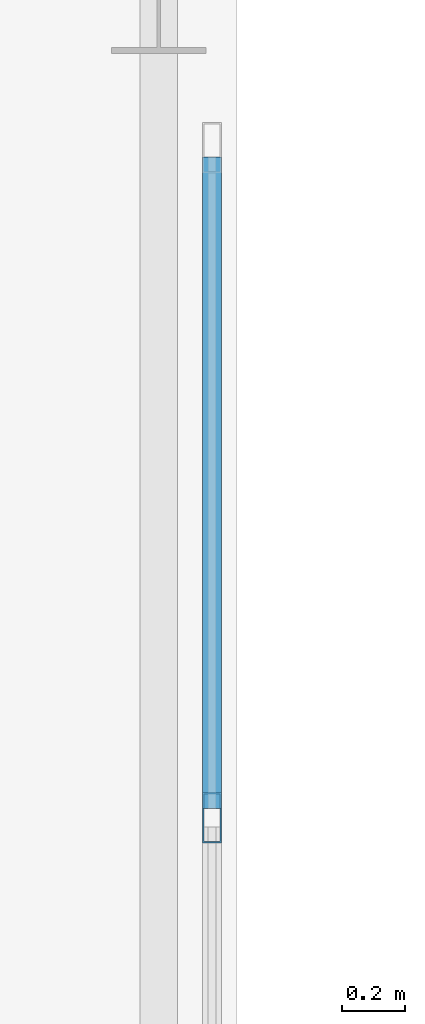
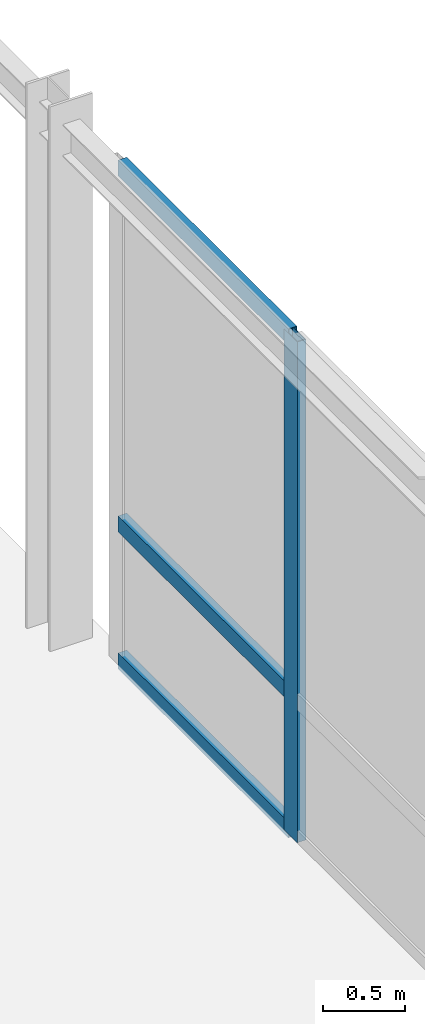
# One storey, part 45 of 165: 4 members, 1 element without a shape of its own.
"""IFC4 building model written with IfcOpenShell, lengths in metres."""

import ifcopenshell
import ifcopenshell.guid

model = None  # the IFC model being written
_history = None  # IfcOwnerHistory: only IFC2X3 demands one
_inside = {}  # id of a spatial element -> (the spatial element, [elements in it])
_under = {}  # id of a project, library or spatial element -> (it, [spatial elements below it])
_declared = {}  # id of a project -> (the project, [libraries it declares])
_typed = {}  # id of a type object -> (the type object, [elements of that type])
_made_of = {}  # id of a material, layer set ... -> (it, [elements and type objects made of it])


def new_model(schema):
    """Start an empty IFC model of exactly this schema.

    Asked for "IFC4X3", IfcOpenShell would pick the latest addendum, in which some entities
    have other attributes; the version numbers below select the first issue.
    IFC2X3 requires an IfcOwnerHistory on every rooted entity: one is made here for all.
    """
    global model, _history
    if schema == "IFC4X3":
        model = ifcopenshell.file(schema_version=(4, 3, 0, 0))
    else:
        model = ifcopenshell.file(schema=schema)
    _inside.clear()
    _under.clear()
    _declared.clear()
    _typed.clear()
    _made_of.clear()
    _history = None
    if model.schema == "IFC2X3":
        org = make("IfcOrganization", Name="unknown")
        user = make(
            "IfcPersonAndOrganization",
            ThePerson=make("IfcPerson", FamilyName="unknown"),
            TheOrganization=org,
        )
        app = make(
            "IfcApplication",
            ApplicationDeveloper=org,
            Version="unknown",
            ApplicationFullName="unknown",
            ApplicationIdentifier="unknown",
        )
        _history = make(
            "IfcOwnerHistory",
            OwningUser=user,
            OwningApplication=app,
            ChangeAction="ADDED",
            CreationDate=0,
        )
    return model


def make(cls, **values):
    """One entity of the class cls with the attributes given. An attribute that is None is left unset."""
    return model.create_entity(
        cls, **{name: value for name, value in values.items() if value is not None}
    )


def rooted(cls, **values):
    """An entity with a GlobalId (a new one), such as an element, a storey or a relation."""
    return make(cls, GlobalId=ifcopenshell.guid.new(), OwnerHistory=_history, **values)


def si_unit(unit_type, name, prefix=None):
    """IfcSIUnit, for example si_unit("LENGTHUNIT", "METRE", prefix="MILLI")."""
    return make("IfcSIUnit", UnitType=unit_type, Prefix=prefix, Name=name)


def assignment(units):
    """IfcUnitAssignment: the units of a project."""
    return None if units is None else make("IfcUnitAssignment", Units=units)


def point(xyz):
    """IfcCartesianPoint."""
    return None if xyz is None else make("IfcCartesianPoint", Coordinates=xyz)


def direction(xyz):
    """IfcDirection."""
    return None if xyz is None else make("IfcDirection", DirectionRatios=xyz)


def frame(location, z_axis=None, x_axis=None):
    """IfcAxis2Placement3D, a coordinate frame: its origin and axes. An axis left out is left unset."""
    return make(
        "IfcAxis2Placement3D",
        Location=point(location),
        Axis=direction(z_axis),
        RefDirection=direction(x_axis),
    )


def frame_2d(location, x_axis=None):
    """IfcAxis2Placement2D, a coordinate frame in the plane: its origin and x axis."""
    return make(
        "IfcAxis2Placement2D", Location=point(location), RefDirection=direction(x_axis)
    )


def origin():
    """The frame at (0, 0, 0) with its axes left unset."""
    return frame((0.0, 0.0, 0.0))


def origin_2d():
    """The frame at (0, 0) in the plane with its x axis left unset."""
    return frame_2d((0.0, 0.0))


def place(relative_to, where):
    """IfcLocalPlacement: puts the frame where relative to a parent placement (None: the world)."""
    return make(
        "IfcLocalPlacement", PlacementRelTo=relative_to, RelativePlacement=where
    )


def context(
    kind, dimensions, precision=None, world=None, true_north=None, identifier=None
):
    """IfcGeometricRepresentationContext, for example the 3D "Model" context."""
    return make(
        "IfcGeometricRepresentationContext",
        ContextIdentifier=identifier,
        ContextType=kind,
        CoordinateSpaceDimension=dimensions,
        Precision=precision,
        WorldCoordinateSystem=world,
        TrueNorth=true_north,
    )


def subcontext(parent, identifier, kind, view, scale=None):
    """IfcGeometricRepresentationSubContext, for example "Body" below "Model"."""
    return make(
        "IfcGeometricRepresentationSubContext",
        ContextIdentifier=identifier,
        ContextType=kind,
        ParentContext=parent,
        TargetScale=scale,
        TargetView=view,
    )


def project(units=None, contexts=None):
    """IfcProject with its units and contexts."""
    return rooted(
        "IfcProject",
        Name="project",
        RepresentationContexts=contexts,
        UnitsInContext=assignment(units),
    )


def spatial(cls, under=None, at=None, **own):
    """A site, building, storey or space (cls), placed at a placement, below another one or the project."""
    s = rooted(cls, ObjectPlacement=at, **own)
    if under is not None:
        _under.setdefault(under.id(), (under, []))[1].append(s)
    return s


def profile(cls, at=None, kind="AREA", **sizes):
    """A parametric profile (cls). Its sizes go by their IFC names, for example OverallWidth=200.0."""
    return make(cls, ProfileType=kind, Position=at, **sizes)


def hollow_rectangle(**sizes):
    """IfcRectangleHollowProfileDef."""
    return profile("IfcRectangleHollowProfileDef", **sizes)


def extrude(swept, where, along, depth):
    """IfcExtrudedAreaSolid: the profile swept, set in the frame where, extruded along a direction by depth."""
    return make(
        "IfcExtrudedAreaSolid",
        SweptArea=swept,
        Position=where,
        ExtrudedDirection=direction(along),
        Depth=depth,
    )


def shape(context_of_items, identifier, shape_type, items):
    """IfcShapeRepresentation: the items that make up one representation, for example the "Body"."""
    return make(
        "IfcShapeRepresentation",
        ContextOfItems=context_of_items,
        RepresentationIdentifier=identifier,
        RepresentationType=shape_type,
        Items=items,
    )


def material(Name=None, Category=None):
    """IfcMaterial."""
    return make("IfcMaterial", Name=Name, Category=Category)


def layer(
    of_material, thickness, ventilated=None, Name=None, Category=None, Priority=None
):
    """IfcMaterialLayer: one layer of a wall or slab, of a material (None: an air gap)."""
    return make(
        "IfcMaterialLayer",
        Material=of_material,
        LayerThickness=thickness,
        IsVentilated=ventilated,
        Name=Name,
        Category=Category,
        Priority=Priority,
    )


def layer_set(layers, Name=None):
    """IfcMaterialLayerSet."""
    return make("IfcMaterialLayerSet", MaterialLayers=layers, LayerSetName=Name)


def material_profile(
    of_material, cross_section, Name=None, Category=None, Priority=None
):
    """IfcMaterialProfile: a cross section and its material."""
    return make(
        "IfcMaterialProfile",
        Name=Name,
        Material=of_material,
        Profile=cross_section,
        Priority=Priority,
        Category=Category,
    )


def profile_set(profiles, Name=None, composite=None):
    """IfcMaterialProfileSet."""
    return make(
        "IfcMaterialProfileSet",
        Name=Name,
        MaterialProfiles=profiles,
        CompositeProfile=composite,
    )


def made_of(thing, what):
    """Note that an element or type object is made of a material, layer set ...; save() writes the relation."""
    if what is not None:
        _made_of.setdefault(what.id(), (what, []))[1].append(thing)
    return thing


def type_object(cls, material=None, **own):
    """A type object (cls), such as IfcWallType, which elements share."""
    return made_of(rooted(cls, **own), material)


def element(
    cls,
    number,
    at=None,
    inside=None,
    cuts=None,
    type_object=None,
    material=None,
    context=None,
    identifier="Body",
    shape_type=None,
    held_by="IfcProductDefinitionShape",
    body=None,
    shapes=None,
    **own,
):
    """One element of the class cls, such as IfcWall. Its Tag is "e" and its number.

    at: its placement. inside: the storey or other place that contains it. cuts: it is an
    opening in that element (IfcRelVoidsElement). A single representation is given by context,
    identifier, shape_type and body (its items); several are given by shapes. held_by: the class
    of the entity that holds the representations. save() writes the other relations.
    """
    e = rooted(cls, Tag="e%d" % number, ObjectPlacement=at, **own)
    if body is not None:
        shapes = [shape(context, identifier, shape_type, body)]
    if shapes is not None:
        e.Representation = make(held_by, Representations=shapes)
    if inside is not None:
        _inside.setdefault(inside.id(), (inside, []))[1].append(e)
    if cuts is not None:
        rooted(
            "IfcRelVoidsElement", RelatingBuildingElement=cuts, RelatedOpeningElement=e
        )
    if type_object is not None:
        _typed.setdefault(type_object.id(), (type_object, []))[1].append(e)
    return made_of(e, material)


def aggregate(whole, parts):
    """IfcRelAggregates: a whole, such as a stair, and the parts it consists of."""
    return rooted("IfcRelAggregates", RelatingObject=whole, RelatedObjects=parts)


def save(model, path):
    """Write the relations noted so far, then the file.

    IfcRelAggregates (storeys below a building ...), IfcRelContainedInSpatialStructure (elements
    in a storey), IfcRelDefinesByType, IfcRelAssociatesMaterial and IfcRelDeclares: one each for
    every whole, place, type object, material and project.
    """
    for whole, parts in _under.values():
        aggregate(whole, parts)
    for where, things in _inside.values():
        rooted(
            "IfcRelContainedInSpatialStructure",
            RelatedElements=things,
            RelatingStructure=where,
        )
    for kind, things in _typed.values():
        rooted("IfcRelDefinesByType", RelatedObjects=things, RelatingType=kind)
    for what, things in _made_of.values():
        rooted("IfcRelAssociatesMaterial", RelatedObjects=things, RelatingMaterial=what)
    for by, libraries in _declared.values():
        rooted("IfcRelDeclares", RelatingContext=by, RelatedDefinitions=libraries)
    model.write(path)


model = new_model("IFC4")

# Units and contexts
model_context = context("Model", 3, precision=1e-05, world=origin(), true_north=direction((0.0, 1.0)))
body_context = subcontext(model_context, "Body", "Model", "MODEL_VIEW")
ifc_project = project(units=[si_unit("LENGTHUNIT", "METRE"), si_unit("AREAUNIT", "SQUARE_METRE"), si_unit("VOLUMEUNIT", "CUBIC_METRE"), si_unit("PLANEANGLEUNIT", "RADIAN"), si_unit("MASSUNIT", "GRAM", prefix="KILO")], contexts=[model_context])

# Site, building, storey
site_placement = place(None, origin())
site = spatial("IfcSite", under=ifc_project, at=site_placement, CompositionType="ELEMENT")
building_placement = place(site_placement, origin())
building = spatial("IfcBuilding", under=site, at=building_placement, Name="Montecoro Central Library", CompositionType="ELEMENT")
storey_placement = place(building_placement, frame((0.0, 0.0, 5.10009765625)))
storey = spatial("IfcBuildingStorey", under=building, at=storey_placement, Name="L01", CompositionType="ELEMENT", Elevation=5.10009765625)

# Curtain wall, members
ifc_material_1 = material(Name="Bronze-anodised aluminium and low-E glazing", Category="aluminium")
ifc_layer = layer(ifc_material_1, 0.159912109375)
ifc_layer_set = layer_set([ifc_layer], Name="Bronze-anodised aluminium and low-E glazing")
curtain_wall_type = type_object("IfcCurtainWallType", Name="CWT-080", PredefinedType="NOTDEFINED", material=ifc_layer_set)
curtain_wall_placement = place(storey_placement, origin())
curtain_wall = element("IfcCurtainWall", 1, at=curtain_wall_placement, inside=storey, type_object=curtain_wall_type, Name="BR-W-L01-CW-E2", PredefinedType="NOTDEFINED")
ifc_material_2 = material(Name="Bronze-anodised aluminium", Category="aluminium")
ifc_material_profile_1 = material_profile(ifc_material_2, hollow_rectangle(XDim=0.06005859375, YDim=0.159912109375, WallThickness=0.00390625, at=origin_2d()), Name="CWM 160x60x4.0")
ifc_profile_set_1 = profile_set([ifc_material_profile_1], Name="Bronze-anodised aluminium")
member_type_1 = type_object("IfcMemberType", Name="CWM-BRZ-60", PredefinedType="MULLION", material=ifc_profile_set_1)
member_1_placement = place(storey_placement, frame((30.719970703125, 61.31494140625, 0.0), z_axis=(0.0, 0.0, 1.0), x_axis=(-1.0, 0.0, 0.0)))
member_1 = element("IfcMember", 2, at=member_1_placement, type_object=member_type_1, Name="CW-080 mullion 4", PredefinedType="MULLION", context=body_context, shape_type="SweptSolid", body=[
    extrude(hollow_rectangle(XDim=0.06005859375, YDim=0.159912109375, WallThickness=0.00390625, at=origin_2d()), origin(), (0.0, 0.0, 1.0), 3.72998046875),
])
ifc_material_profile_2 = material_profile(ifc_material_2, hollow_rectangle(XDim=0.06005859375, YDim=0.1201171875, WallThickness=0.00390625, at=origin_2d()), Name="CWT 120x60x4.0")
ifc_profile_set_2 = profile_set([ifc_material_profile_2], Name="Bronze-anodised aluminium")
member_type_2 = type_object("IfcMemberType", Name="CWT-BRZ-60", PredefinedType="USERDEFINED", material=ifc_profile_set_2)
member_2_placement = place(storey_placement, frame((30.719970703125, 61.344970703125, 0.02978515625), z_axis=(0.0, 1.0, 0.0), x_axis=(-1.0, 0.0, 0.0)))
member_2 = element("IfcMember", 3, at=member_2_placement, type_object=member_type_2, Name="CW-080 transom 4.1", ObjectType="TRANSOM", PredefinedType="USERDEFINED", context=body_context, shape_type="SweptSolid", body=[
    extrude(hollow_rectangle(XDim=0.06005859375, YDim=0.1201171875, WallThickness=0.00390625, at=origin_2d()), origin(), (0.0, 0.0, 1.0), 2.074951171875),
])
member_3_placement = place(storey_placement, frame((30.719970703125, 61.344970703125, 1.0498046875), z_axis=(0.0, 1.0, 0.0), x_axis=(-1.0, 0.0, 0.0)))
member_3 = element("IfcMember", 4, at=member_3_placement, type_object=member_type_2, Name="CW-080 transom 4.2", ObjectType="TRANSOM", PredefinedType="USERDEFINED", context=body_context, shape_type="SweptSolid", body=[
    extrude(hollow_rectangle(XDim=0.06005859375, YDim=0.1201171875, WallThickness=0.00390625, at=origin_2d()), origin(), (0.0, 0.0, 1.0), 2.074951171875),
])
member_4_placement = place(storey_placement, frame((30.719970703125, 61.344970703125, 3.699951171875), z_axis=(0.0, 1.0, 0.0), x_axis=(-1.0, 0.0, 0.0)))
member_4 = element("IfcMember", 5, at=member_4_placement, type_object=member_type_2, Name="CW-080 transom 4.3", ObjectType="TRANSOM", PredefinedType="USERDEFINED", context=body_context, shape_type="SweptSolid", body=[
    extrude(hollow_rectangle(XDim=0.06005859375, YDim=0.1201171875, WallThickness=0.00390625, at=origin_2d()), origin(), (0.0, 0.0, 1.0), 2.074951171875),
])
aggregate(curtain_wall, [member_1, member_2, member_3, member_4])

save(model, "model.ifc")
